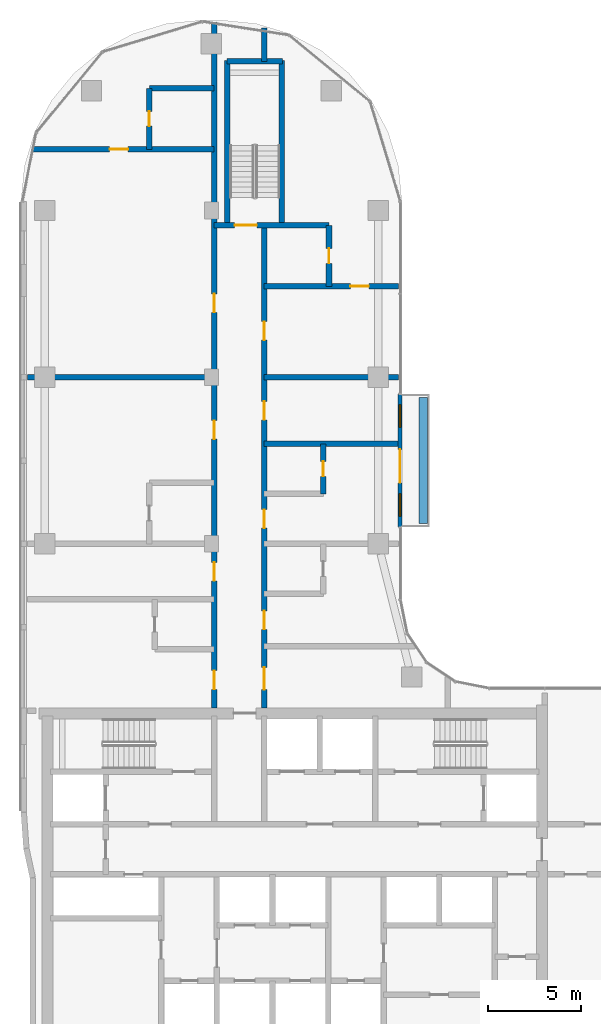
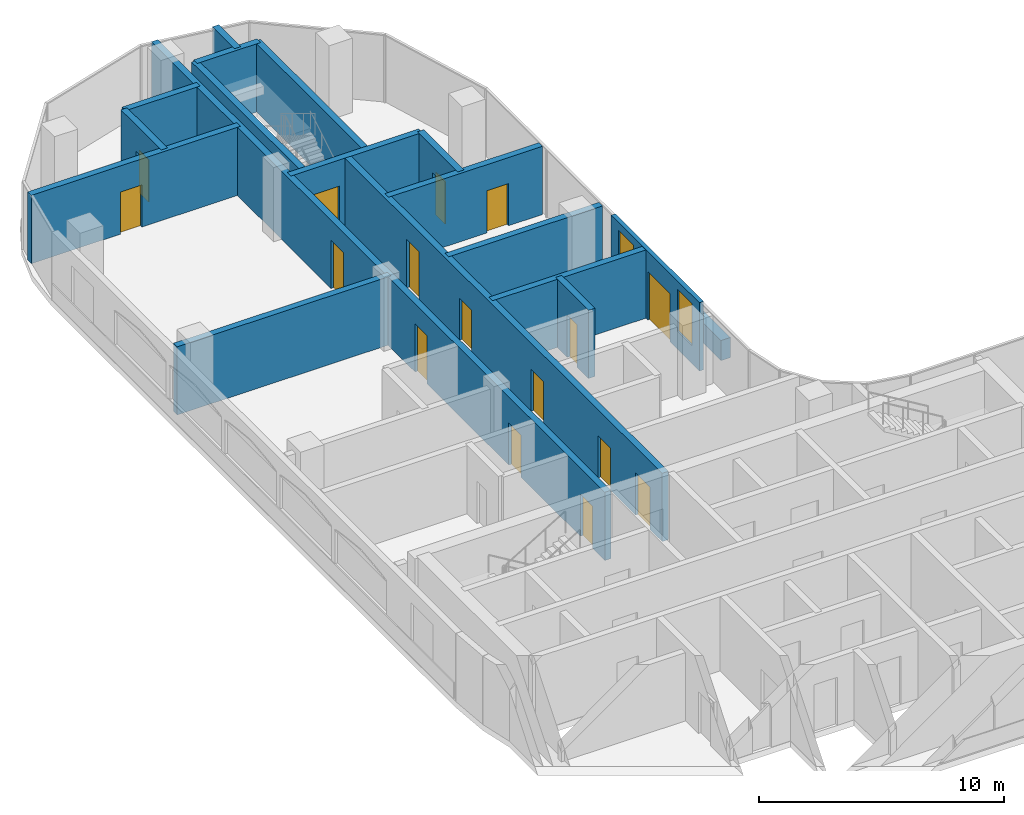
# One storey, part 13 of 23: 18 walls, 16 doors, 2 windows, 18 openings.
"""IFC4 building model written with IfcOpenShell, lengths in metres."""

from ifc_helpers import new_model, si_unit, direction, frame, frame_2d, origin, origin_2d, place, context, subcontext, project, spatial, rectangle, extrude, material, layer, layer_set, type_object, element, fill, save


model = new_model("IFC4")

# Units and contexts
model_context = context("Model", 3, precision=1e-05, world=origin(), true_north=direction((0.0, 1.0)))
body_context = subcontext(model_context, "Body", "Model", "MODEL_VIEW")
ifc_project = project(units=[si_unit("LENGTHUNIT", "METRE"), si_unit("AREAUNIT", "SQUARE_METRE"), si_unit("VOLUMEUNIT", "CUBIC_METRE"), si_unit("PLANEANGLEUNIT", "RADIAN"), si_unit("MASSUNIT", "GRAM", prefix="KILO")], contexts=[model_context])

# Site, building, storey
site_placement = place(None, origin())
site = spatial("IfcSite", under=ifc_project, at=site_placement, CompositionType="ELEMENT")
building_placement = place(site_placement, origin())
building = spatial("IfcBuilding", under=site, at=building_placement, Name="Ogive Portal Towers", CompositionType="ELEMENT")
storey_placement = place(building_placement, frame((0.0, 0.0, 164.39990234375)))
storey = spatial("IfcBuildingStorey", under=building, at=storey_placement, Name="L40", CompositionType="ELEMENT", Elevation=164.39990234375)

# Wall, openings, door, windows
ifc_material_1 = material(Name="Limestone cladding on lightweight block wall", Category="masonry")
ifc_layer_1 = layer(ifc_material_1, 0.199951171875)
ifc_layer_set_1 = layer_set([ifc_layer_1], Name="BALCONY BAY WALL 200")
wall_type_1 = type_object("IfcWallType", Name="BALCONY BAY WALL 200", PredefinedType="SOLIDWALL", material=ifc_layer_set_1)
wall_1_placement = place(storey_placement, frame((50.68505859375, 56.60009765625, 0.0), z_axis=(0.0, 0.0, 1.0), x_axis=(0.0, -1.0, 0.0)))
wall_1 = element("IfcWall", 1, at=wall_1_placement, inside=storey, type_object=wall_type_1, Name="A:L40:f12:bay0", PredefinedType="SOLIDWALL", context=body_context, shape_type="SweptSolid", body=[
    extrude(rectangle(XDim=7.2001953125, YDim=0.199951171875, at=frame_2d((3.60009765625, 0.0))), origin(), (0.0, 0.0, 1.0), 3.400146484375),
])
opening_1_placement = place(wall_1_placement, frame((3.0, 0.0, 0.0)))
opening_1 = element("IfcOpeningElement", 2, at=opening_1_placement, cuts=wall_1, Name="Opening DX042", PredefinedType="OPENING", context=body_context, shape_type="SweptSolid", body=[
    extrude(rectangle(XDim=1.800048828125, YDim=2.39990234375, at=frame_2d((0.89990234375, 1.199951171875))), frame((0.0, 0.10986328125, 0.0), z_axis=(0.0, -1.0, 0.0), x_axis=(1.0, 0.0, 0.0)), (0.0, 0.0, 1.0), 0.219970703125),
])
opening_2_placement = place(wall_1_placement, frame((5.39990234375, 0.0, 0.89990234375)))
opening_2 = element("IfcOpeningElement", 3, at=opening_2_placement, cuts=wall_1, Name="Opening WN2", PredefinedType="OPENING", context=body_context, shape_type="SweptSolid", body=[
    extrude(rectangle(XDim=1.199951171875, YDim=2.10009765625, at=frame_2d((0.60009765625, 1.050048828125))), frame((0.0, 0.10986328125, 0.0), z_axis=(0.0, -1.0, 0.0), x_axis=(1.0, 0.0, 0.0)), (0.0, 0.0, 1.0), 0.219970703125),
])
opening_3_placement = place(wall_1_placement, frame((0.60009765625, 0.0, 0.89990234375)))
opening_3 = element("IfcOpeningElement", 4, at=opening_3_placement, cuts=wall_1, Name="Opening WN2", PredefinedType="OPENING", context=body_context, shape_type="SweptSolid", body=[
    extrude(rectangle(XDim=1.199951171875, YDim=2.10009765625, at=frame_2d((0.60009765625, 1.050048828125))), frame((0.0, 0.10986328125, 0.0), z_axis=(0.0, -1.0, 0.0), x_axis=(1.0, 0.0, 0.0)), (0.0, 0.0, 1.0), 0.219970703125),
])
ifc_material_2 = material(Name="Aluminium 6063 anodised", Category="aluminium")
door_type_1 = type_object("IfcDoorType", Name="BALCONY DOOR 1800x2400", OperationType="DOUBLE_DOOR_SINGLE_SWING", PredefinedType="DOOR", material=ifc_material_2)
door_1_placement = place(opening_1_placement, origin())
door_1 = element("IfcDoor", 5, at=door_1_placement, inside=storey, type_object=door_type_1, Name="A:L40:f12:bay0/o0", OperationType="SINGLE_SWING_LEFT", OverallHeight=2.39990234375, OverallWidth=1.800048828125, PredefinedType="DOOR", context=body_context, shape_type="SweptSolid", body=[
    extrude(rectangle(XDim=1.800048828125, YDim=2.39990234375, at=frame_2d((0.89990234375, 1.199951171875))), frame((0.0, 0.02490234375, 0.0), z_axis=(0.0, -1.0, 0.0), x_axis=(1.0, 0.0, 0.0)), (0.0, 0.0, 1.0), 0.050048828125),
])
fill(opening_1, door_1)
ifc_material_3 = material(Name="Glass, clear low-iron insulated glazing", Category="glass")
window_type = type_object("IfcWindowType", Name="WINDOW BALCONY BAY 1200x2100", PartitioningType="SINGLE_PANEL", PredefinedType="WINDOW", material=ifc_material_3)
window_1_placement = place(opening_2_placement, origin())
window_1 = element("IfcWindow", 6, at=window_1_placement, inside=storey, type_object=window_type, Name="A:L40:f12:bay0/o1", OverallHeight=2.10009765625, OverallWidth=1.199951171875, PartitioningType="SINGLE_PANEL", PredefinedType="WINDOW", context=body_context, shape_type="SweptSolid", body=[
    extrude(rectangle(XDim=1.199951171875, YDim=2.10009765625, at=frame_2d((0.60009765625, 1.050048828125))), frame((0.0, 0.030029296875, 0.0), z_axis=(0.0, -1.0, 0.0), x_axis=(1.0, 0.0, 0.0)), (0.0, 0.0, 1.0), 0.06005859375),
])
fill(opening_2, window_1)
window_2_placement = place(opening_3_placement, origin())
window_2 = element("IfcWindow", 7, at=window_2_placement, inside=storey, type_object=window_type, Name="A:L40:f12:bay0/o2", OverallHeight=2.10009765625, OverallWidth=1.199951171875, PartitioningType="SINGLE_PANEL", PredefinedType="WINDOW", context=body_context, shape_type="SweptSolid", body=[
    extrude(rectangle(XDim=1.199951171875, YDim=2.10009765625, at=frame_2d((0.60009765625, 1.050048828125))), frame((0.0, 0.030029296875, 0.0), z_axis=(0.0, -1.0, 0.0), x_axis=(1.0, 0.0, 0.0)), (0.0, 0.0, 1.0), 0.06005859375),
])
fill(opening_3, window_2)

# Wall
ifc_material_4 = material(Name="Concrete C40/50", Category="concrete")
ifc_layer_2 = layer(ifc_material_4, 0.449951171875)
ifc_layer_set_2 = layer_set([ifc_layer_2], Name="PLANTER WALL 450")
wall_type_2 = type_object("IfcWallType", Name="PLANTER WALL 450", PredefinedType="SOLIDWALL", material=ifc_layer_set_2)
wall_2_placement = place(storey_placement, frame((51.93994140625, 53.0, 0.0), z_axis=(0.0, 0.0, 1.0), x_axis=(1.0, 0.0, 0.0)))
element("IfcWall", 8, at=wall_2_placement, inside=storey, type_object=wall_type_2, Name="Planter S1", PredefinedType="SOLIDWALL", context=body_context, shape_type="SweptSolid", body=[
    extrude(rectangle(XDim=0.449951171875, YDim=6.800048828125, at=origin_2d()), origin(), (0.0, 0.0, 1.0), 1.0),
])

# Wall, opening, door
ifc_material_5 = material(Name="Concrete C50/60", Category="concrete")
ifc_layer_3 = layer(ifc_material_5, 0.300048828125)
ifc_layer_set_3 = layer_set([ifc_layer_3], Name="STAIR WALL 300 C50")
wall_type_3 = type_object("IfcWallType", Name="STAIR WALL 300 C50", PredefinedType="SHEAR", material=ifc_layer_set_3)
wall_3_placement = place(storey_placement, frame((40.64990234375, 65.699951171875, 0.0), z_axis=(0.0, 0.0, 1.0), x_axis=(1.0, 0.0, 0.0)))
wall_3 = element("IfcWall", 9, at=wall_3_placement, inside=storey, type_object=wall_type_3, Name="Stair wall ST-A3 L40", PredefinedType="SHEAR", context=body_context, shape_type="SweptSolid", body=[
    extrude(rectangle(XDim=6.2001953125, YDim=0.300048828125, at=frame_2d((3.10009765625, 0.0))), origin(), (0.0, 0.0, 1.0), 3.400146484375),
])
opening_4_placement = place(wall_3_placement, frame((1.10009765625, 0.0, 0.0)))
opening_4 = element("IfcOpeningElement", 10, at=opening_4_placement, cuts=wall_3, Name="Opening D16-052", PredefinedType="OPENING", context=body_context, shape_type="SweptSolid", body=[
    extrude(rectangle(XDim=1.199951171875, YDim=2.10009765625, at=frame_2d((0.60009765625, 1.050048828125))), frame((0.0, 0.16015625, 0.0), z_axis=(0.0, -1.0, 0.0), x_axis=(1.0, 0.0, 0.0)), (0.0, 0.0, 1.0), 0.320068359375),
])
ifc_material_6 = material(Name="Steel fire door", Category="steel")
door_type_2 = type_object("IfcDoorType", Name="DT-STAIR-1200x2100-FD90S", OperationType="SINGLE_SWING_LEFT", PredefinedType="DOOR", material=ifc_material_6)
door_2_placement = place(opening_4_placement, origin())
door_2 = element("IfcDoor", 11, at=door_2_placement, inside=storey, type_object=door_type_2, Name="Door D16-052", OperationType="SINGLE_SWING_RIGHT", OverallHeight=2.10009765625, OverallWidth=1.199951171875, PredefinedType="DOOR", context=body_context, shape_type="SweptSolid", body=[
    extrude(rectangle(XDim=1.199951171875, YDim=2.10009765625, at=frame_2d((0.60009765625, 1.050048828125))), frame((0.0, 0.02490234375, 0.0), z_axis=(0.0, -1.0, 0.0), x_axis=(1.0, 0.0, 0.0)), (0.0, 0.0, 1.0), 0.050048828125),
])
fill(opening_4, door_2)

# Walls
wall_4_placement = place(storey_placement, frame((41.35009765625, 74.550048828125, 0.0), z_axis=(0.0, 0.0, 1.0), x_axis=(1.0, 0.0, 0.0)))
element("IfcWall", 12, at=wall_4_placement, inside=storey, type_object=wall_type_3, Name="Stair wall ST-A3 L40", PredefinedType="SHEAR", context=body_context, shape_type="SweptSolid", body=[
    extrude(rectangle(XDim=3.0, YDim=0.300048828125, at=frame_2d((1.5, 0.0))), origin(), (0.0, 0.0, 1.0), 3.400146484375),
])
wall_5_placement = place(storey_placement, frame((41.35009765625, 65.75, 0.0), z_axis=(0.0, 0.0, 1.0), x_axis=(0.0, 1.0, 0.0)))
element("IfcWall", 13, at=wall_5_placement, inside=storey, type_object=wall_type_3, Name="Stair wall ST-A3 L40", PredefinedType="SHEAR", context=body_context, shape_type="SweptSolid", body=[
    extrude(rectangle(XDim=8.85009765625, YDim=0.300048828125, at=frame_2d((4.425048828125, 0.0))), origin(), (0.0, 0.0, 1.0), 3.400146484375),
])
wall_6_placement = place(storey_placement, frame((44.300048828125, 65.699951171875, 0.0), z_axis=(0.0, 0.0, 1.0), x_axis=(0.0, 1.0, 0.0)))
element("IfcWall", 14, at=wall_6_placement, inside=storey, type_object=wall_type_3, Name="Stair wall ST-A3 L40", PredefinedType="SHEAR", context=body_context, shape_type="SweptSolid", body=[
    extrude(rectangle(XDim=8.900146484375, YDim=0.300048828125, at=frame_2d((4.4501953125, 0.0))), origin(), (0.0, 0.0, 1.0), 3.400146484375),
])
ifc_material_7 = material(Name="Gypsum board partition on steel studs", Category="steel")
ifc_layer_4 = layer(ifc_material_7, 0.300048828125)
ifc_layer_set_4 = layer_set([ifc_layer_4], Name="WT-PART-300-EI 60")
wall_type_4 = type_object("IfcWallType", Name="WT-PART-300-EI 60", PredefinedType="PARTITIONING", material=ifc_layer_set_4)
wall_7_placement = place(storey_placement, frame((43.35009765625, 53.89990234375, 0.0), z_axis=(0.0, 0.0, 1.0), x_axis=(1.0, 0.0, 0.0)))
element("IfcWall", 15, at=wall_7_placement, inside=storey, type_object=wall_type_4, Name="Wall L40:w017", PredefinedType="PARTITIONING", context=body_context, shape_type="SweptSolid", body=[
    extrude(rectangle(XDim=7.224853515625, YDim=0.300048828125, at=frame_2d((3.6123046875, 0.0))), origin(), (0.0, 0.0, 1.0), 3.400146484375),
])
wall_8_placement = place(storey_placement, frame((30.56494140625, 57.5, 0.0), z_axis=(0.0, 0.0, 1.0), x_axis=(1.0, 0.0, 0.0)))
element("IfcWall", 16, at=wall_8_placement, inside=storey, type_object=wall_type_4, Name="Wall L40:w018", PredefinedType="PARTITIONING", context=body_context, shape_type="SweptSolid", body=[
    extrude(rectangle(XDim=10.0849609375, YDim=0.300048828125, at=frame_2d((5.04248046875, 0.0))), origin(), (0.0, 0.0, 1.0), 3.400146484375),
])
wall_9_placement = place(storey_placement, frame((43.35009765625, 57.5, 0.0), z_axis=(0.0, 0.0, 1.0), x_axis=(1.0, 0.0, 0.0)))
element("IfcWall", 17, at=wall_9_placement, inside=storey, type_object=wall_type_4, Name="Wall L40:w019", PredefinedType="PARTITIONING", context=body_context, shape_type="SweptSolid", body=[
    extrude(rectangle(XDim=7.264892578125, YDim=0.300048828125, at=frame_2d((3.63232421875, 0.0))), origin(), (0.0, 0.0, 1.0), 3.400146484375),
])

# Wall, opening, door
wall_10_placement = place(storey_placement, frame((43.35009765625, 62.39990234375, 0.0), z_axis=(0.0, 0.0, 1.0), x_axis=(1.0, 0.0, 0.0)))
wall_10 = element("IfcWall", 18, at=wall_10_placement, inside=storey, type_object=wall_type_4, Name="Wall L40:w020", PredefinedType="PARTITIONING", context=body_context, shape_type="SweptSolid", body=[
    extrude(rectangle(XDim=7.264892578125, YDim=0.300048828125, at=frame_2d((3.63232421875, 0.0))), origin(), (0.0, 0.0, 1.0), 3.400146484375),
])
opening_5_placement = place(wall_10_placement, frame((4.64990234375, 0.0, 0.0)))
opening_5 = element("IfcOpeningElement", 19, at=opening_5_placement, cuts=wall_10, Name="Opening D16-043", PredefinedType="OPENING", context=body_context, shape_type="SweptSolid", body=[
    extrude(rectangle(XDim=1.0, YDim=2.10009765625, at=frame_2d((0.5, 1.050048828125))), frame((0.0, 0.16015625, 0.0), z_axis=(0.0, -1.0, 0.0), x_axis=(1.0, 0.0, 0.0)), (0.0, 0.0, 1.0), 0.320068359375),
])
door_type_3 = type_object("IfcDoorType", Name="DT-ENTRY-1000x2100-FD60S", OperationType="SINGLE_SWING_LEFT", PredefinedType="DOOR", material=ifc_material_6)
door_3_placement = place(opening_5_placement, origin())
door_3 = element("IfcDoor", 20, at=door_3_placement, inside=storey, type_object=door_type_3, Name="Door D16-043", OperationType="SINGLE_SWING_RIGHT", OverallHeight=2.10009765625, OverallWidth=1.0, PredefinedType="DOOR", context=body_context, shape_type="SweptSolid", body=[
    extrude(rectangle(XDim=1.0, YDim=2.10009765625, at=frame_2d((0.5, 1.050048828125))), frame((0.0, 0.02490234375, 0.0), z_axis=(0.0, -1.0, 0.0), x_axis=(1.0, 0.0, 0.0)), (0.0, 0.0, 1.0), 0.050048828125),
])
fill(opening_5, door_3)

wall_11_placement = place(storey_placement, frame((30.7880859375, 69.800048828125, 0.0), z_axis=(0.0, 0.0, 1.0), x_axis=(1.0, 0.0, 0.0)))
wall_11 = element("IfcWall", 21, at=wall_11_placement, inside=storey, type_object=wall_type_4, Name="Wall L40:w022", PredefinedType="PARTITIONING", context=body_context, shape_type="SweptSolid", body=[
    extrude(rectangle(XDim=9.86181640625, YDim=0.300048828125, at=frame_2d((4.930908203125, 0.0))), origin(), (0.0, 0.0, 1.0), 3.400146484375),
])
opening_6_placement = place(wall_11_placement, frame((4.2119140625, 0.0, 0.0)))
opening_6 = element("IfcOpeningElement", 22, at=opening_6_placement, cuts=wall_11, Name="Opening D16-046", PredefinedType="OPENING", context=body_context, shape_type="SweptSolid", body=[
    extrude(rectangle(XDim=1.0, YDim=2.10009765625, at=frame_2d((0.5, 1.050048828125))), frame((0.0, 0.16015625, 0.0), z_axis=(0.0, -1.0, 0.0), x_axis=(1.0, 0.0, 0.0)), (0.0, 0.0, 1.0), 0.320068359375),
])
door_4_placement = place(opening_6_placement, origin())
door_4 = element("IfcDoor", 23, at=door_4_placement, inside=storey, type_object=door_type_3, Name="Door D16-046", OperationType="SINGLE_SWING_RIGHT", OverallHeight=2.10009765625, OverallWidth=1.0, PredefinedType="DOOR", context=body_context, shape_type="SweptSolid", body=[
    extrude(rectangle(XDim=1.0, YDim=2.10009765625, at=frame_2d((0.5, 1.050048828125))), frame((0.0, 0.02490234375, 0.0), z_axis=(0.0, -1.0, 0.0), x_axis=(1.0, 0.0, 0.0)), (0.0, 0.0, 1.0), 0.050048828125),
])
fill(opening_6, door_4)

# Wall
wall_12_placement = place(storey_placement, frame((37.14990234375, 73.10009765625, 0.0), z_axis=(0.0, 0.0, 1.0), x_axis=(1.0, 0.0, 0.0)))
element("IfcWall", 24, at=wall_12_placement, inside=storey, type_object=wall_type_4, Name="Wall L40:w023", PredefinedType="PARTITIONING", context=body_context, shape_type="SweptSolid", body=[
    extrude(rectangle(XDim=3.5, YDim=0.300048828125, at=frame_2d((1.75, 0.0))), origin(), (0.0, 0.0, 1.0), 3.400146484375),
])

# Wall, opening, door
wall_13_placement = place(storey_placement, frame((37.14990234375, 69.800048828125, 0.0), z_axis=(0.0, 0.0, 1.0), x_axis=(0.0, 1.0, 0.0)))
wall_13 = element("IfcWall", 25, at=wall_13_placement, inside=storey, type_object=wall_type_4, Name="Wall L40:w026", PredefinedType="PARTITIONING", context=body_context, shape_type="SweptSolid", body=[
    extrude(rectangle(XDim=3.300048828125, YDim=0.300048828125, at=frame_2d((1.64990234375, 0.0))), origin(), (0.0, 0.0, 1.0), 3.400146484375),
])
opening_7_placement = place(wall_13_placement, frame((1.25, 0.0, 0.0)))
opening_7 = element("IfcOpeningElement", 26, at=opening_7_placement, cuts=wall_13, Name="Opening D16-047", PredefinedType="OPENING", context=body_context, shape_type="SweptSolid", body=[
    extrude(rectangle(XDim=0.800048828125, YDim=2.10009765625, at=frame_2d((0.39990234375, 1.050048828125))), frame((0.0, 0.16015625, 0.0), z_axis=(0.0, -1.0, 0.0), x_axis=(1.0, 0.0, 0.0)), (0.0, 0.0, 1.0), 0.320068359375),
])
door_type_4 = type_object("IfcDoorType", Name="DT-BATH-800x2100-FD60S", OperationType="SINGLE_SWING_LEFT", PredefinedType="DOOR", material=ifc_material_6)
door_5_placement = place(opening_7_placement, origin())
door_5 = element("IfcDoor", 27, at=door_5_placement, inside=storey, type_object=door_type_4, Name="Door D16-047", OperationType="SINGLE_SWING_LEFT", OverallHeight=2.10009765625, OverallWidth=0.800048828125, PredefinedType="DOOR", context=body_context, shape_type="SweptSolid", body=[
    extrude(rectangle(XDim=0.800048828125, YDim=2.10009765625, at=frame_2d((0.39990234375, 1.050048828125))), frame((0.0, 0.02490234375, 0.0), z_axis=(0.0, -1.0, 0.0), x_axis=(1.0, 0.0, 0.0)), (0.0, 0.0, 1.0), 0.050048828125),
])
fill(opening_7, door_5)

# Wall, openings, doors
wall_14_placement = place(storey_placement, frame((40.64990234375, 39.64990234375, 0.0), z_axis=(0.0, 0.0, 1.0), x_axis=(0.0, 1.0, 0.0)))
wall_14 = element("IfcWall", 28, at=wall_14_placement, inside=storey, type_object=wall_type_4, Name="Wall L40:w028", PredefinedType="PARTITIONING", context=body_context, shape_type="SweptSolid", body=[
    extrude(rectangle(XDim=37.025146484375, YDim=0.300048828125, at=frame_2d((18.5126953125, 0.0))), origin(), (0.0, 0.0, 1.0), 3.400146484375),
])
opening_8_placement = place(wall_14_placement, frame((1.0, 0.0, 0.0)))
opening_8 = element("IfcOpeningElement", 29, at=opening_8_placement, cuts=wall_14, Name="Opening D16-035", PredefinedType="OPENING", context=body_context, shape_type="SweptSolid", body=[
    extrude(rectangle(XDim=1.0, YDim=2.10009765625, at=frame_2d((0.5, 1.050048828125))), frame((0.0, 0.16015625, 0.0), z_axis=(0.0, -1.0, 0.0), x_axis=(1.0, 0.0, 0.0)), (0.0, 0.0, 1.0), 0.320068359375),
])
opening_9_placement = place(wall_14_placement, frame((6.85009765625, 0.0, 0.0)))
opening_9 = element("IfcOpeningElement", 30, at=opening_9_placement, cuts=wall_14, Name="Opening D16-036", PredefinedType="OPENING", context=body_context, shape_type="SweptSolid", body=[
    extrude(rectangle(XDim=1.0, YDim=2.10009765625, at=frame_2d((0.5, 1.050048828125))), frame((0.0, 0.16015625, 0.0), z_axis=(0.0, -1.0, 0.0), x_axis=(1.0, 0.0, 0.0)), (0.0, 0.0, 1.0), 0.320068359375),
])
opening_10_placement = place(wall_14_placement, frame((14.5, 0.0, 0.0)))
opening_10 = element("IfcOpeningElement", 31, at=opening_10_placement, cuts=wall_14, Name="Opening D16-041", PredefinedType="OPENING", context=body_context, shape_type="SweptSolid", body=[
    extrude(rectangle(XDim=1.0, YDim=2.39990234375, at=frame_2d((0.5, 1.199951171875))), frame((0.0, 0.16015625, 0.0), z_axis=(0.0, -1.0, 0.0), x_axis=(1.0, 0.0, 0.0)), (0.0, 0.0, 1.0), 0.320068359375),
])
opening_11_placement = place(wall_14_placement, frame((21.35009765625, 0.0, 0.0)))
opening_11 = element("IfcOpeningElement", 32, at=opening_11_placement, cuts=wall_14, Name="Opening D16-045", PredefinedType="OPENING", context=body_context, shape_type="SweptSolid", body=[
    extrude(rectangle(XDim=1.0, YDim=2.39990234375, at=frame_2d((0.5, 1.199951171875))), frame((0.0, 0.16015625, 0.0), z_axis=(0.0, -1.0, 0.0), x_axis=(1.0, 0.0, 0.0)), (0.0, 0.0, 1.0), 0.320068359375),
])
door_6_placement = place(opening_8_placement, origin())
door_6 = element("IfcDoor", 33, at=door_6_placement, inside=storey, type_object=door_type_3, Name="Door D16-035", OperationType="SINGLE_SWING_RIGHT", OverallHeight=2.10009765625, OverallWidth=1.0, PredefinedType="DOOR", context=body_context, shape_type="SweptSolid", body=[
    extrude(rectangle(XDim=1.0, YDim=2.10009765625, at=frame_2d((0.5, 1.050048828125))), frame((0.0, 0.02490234375, 0.0), z_axis=(0.0, -1.0, 0.0), x_axis=(1.0, 0.0, 0.0)), (0.0, 0.0, 1.0), 0.050048828125),
])
fill(opening_8, door_6)
door_7_placement = place(opening_9_placement, origin())
door_7 = element("IfcDoor", 34, at=door_7_placement, inside=storey, type_object=door_type_3, Name="Door D16-036", OperationType="SINGLE_SWING_LEFT", OverallHeight=2.10009765625, OverallWidth=1.0, PredefinedType="DOOR", context=body_context, shape_type="SweptSolid", body=[
    extrude(rectangle(XDim=1.0, YDim=2.10009765625, at=frame_2d((0.5, 1.050048828125))), frame((0.0, 0.02490234375, 0.0), z_axis=(0.0, -1.0, 0.0), x_axis=(1.0, 0.0, 0.0)), (0.0, 0.0, 1.0), 0.050048828125),
])
fill(opening_9, door_7)
door_type_5 = type_object("IfcDoorType", Name="DT-ENTRY-1000x2400-FD60S", OperationType="SINGLE_SWING_LEFT", PredefinedType="DOOR", material=ifc_material_6)
door_8_placement = place(opening_10_placement, origin())
door_8 = element("IfcDoor", 35, at=door_8_placement, inside=storey, type_object=door_type_5, Name="Door D16-041", OperationType="SINGLE_SWING_RIGHT", OverallHeight=2.39990234375, OverallWidth=1.0, PredefinedType="DOOR", context=body_context, shape_type="SweptSolid", body=[
    extrude(rectangle(XDim=1.0, YDim=2.39990234375, at=frame_2d((0.5, 1.199951171875))), frame((0.0, 0.02490234375, 0.0), z_axis=(0.0, -1.0, 0.0), x_axis=(1.0, 0.0, 0.0)), (0.0, 0.0, 1.0), 0.050048828125),
])
fill(opening_10, door_8)
door_9_placement = place(opening_11_placement, origin())
door_9 = element("IfcDoor", 36, at=door_9_placement, inside=storey, type_object=door_type_5, Name="Door D16-045", OperationType="SINGLE_SWING_LEFT", OverallHeight=2.39990234375, OverallWidth=1.0, PredefinedType="DOOR", context=body_context, shape_type="SweptSolid", body=[
    extrude(rectangle(XDim=1.0, YDim=2.39990234375, at=frame_2d((0.5, 1.199951171875))), frame((0.0, 0.02490234375, 0.0), z_axis=(0.0, -1.0, 0.0), x_axis=(1.0, 0.0, 0.0)), (0.0, 0.0, 1.0), 0.050048828125),
])
fill(opening_11, door_9)

# Wall, opening, door
wall_15_placement = place(storey_placement, frame((46.550048828125, 51.199951171875, 0.0), z_axis=(0.0, 0.0, 1.0), x_axis=(0.0, 1.0, 0.0)))
wall_15 = element("IfcWall", 37, at=wall_15_placement, inside=storey, type_object=wall_type_4, Name="Wall L40:w034", PredefinedType="PARTITIONING", context=body_context, shape_type="SweptSolid", body=[
    extrude(rectangle(XDim=2.699951171875, YDim=0.300048828125, at=frame_2d((1.35009765625, 0.0))), origin(), (0.0, 0.0, 1.0), 3.400146484375),
])
opening_12_placement = place(wall_15_placement, frame((0.949951171875, 0.0, 0.0)))
opening_12 = element("IfcOpeningElement", 38, at=opening_12_placement, cuts=wall_15, Name="Opening D16-037", PredefinedType="OPENING", context=body_context, shape_type="SweptSolid", body=[
    extrude(rectangle(XDim=0.800048828125, YDim=2.10009765625, at=frame_2d((0.39990234375, 1.050048828125))), frame((0.0, 0.16015625, 0.0), z_axis=(0.0, -1.0, 0.0), x_axis=(1.0, 0.0, 0.0)), (0.0, 0.0, 1.0), 0.320068359375),
])
door_10_placement = place(opening_12_placement, origin())
door_10 = element("IfcDoor", 39, at=door_10_placement, inside=storey, type_object=door_type_4, Name="Door D16-037", OperationType="SINGLE_SWING_LEFT", OverallHeight=2.10009765625, OverallWidth=0.800048828125, PredefinedType="DOOR", context=body_context, shape_type="SweptSolid", body=[
    extrude(rectangle(XDim=0.800048828125, YDim=2.10009765625, at=frame_2d((0.39990234375, 1.050048828125))), frame((0.0, 0.02490234375, 0.0), z_axis=(0.0, -1.0, 0.0), x_axis=(1.0, 0.0, 0.0)), (0.0, 0.0, 1.0), 0.050048828125),
])
fill(opening_12, door_10)

wall_16_placement = place(storey_placement, frame((46.85009765625, 62.39990234375, 0.0), z_axis=(0.0, 0.0, 1.0), x_axis=(0.0, 1.0, 0.0)))
wall_16 = element("IfcWall", 40, at=wall_16_placement, inside=storey, type_object=wall_type_4, Name="Wall L40:w035", PredefinedType="PARTITIONING", context=body_context, shape_type="SweptSolid", body=[
    extrude(rectangle(XDim=3.300048828125, YDim=0.300048828125, at=frame_2d((1.64990234375, 0.0))), origin(), (0.0, 0.0, 1.0), 3.400146484375),
])
opening_13_placement = place(wall_16_placement, frame((1.25, 0.0, 0.0)))
opening_13 = element("IfcOpeningElement", 41, at=opening_13_placement, cuts=wall_16, Name="Opening D16-044", PredefinedType="OPENING", context=body_context, shape_type="SweptSolid", body=[
    extrude(rectangle(XDim=0.800048828125, YDim=2.10009765625, at=frame_2d((0.39990234375, 1.050048828125))), frame((0.0, 0.16015625, 0.0), z_axis=(0.0, -1.0, 0.0), x_axis=(1.0, 0.0, 0.0)), (0.0, 0.0, 1.0), 0.320068359375),
])
door_11_placement = place(opening_13_placement, origin())
door_11 = element("IfcDoor", 42, at=door_11_placement, inside=storey, type_object=door_type_4, Name="Door D16-044", OperationType="SINGLE_SWING_LEFT", OverallHeight=2.10009765625, OverallWidth=0.800048828125, PredefinedType="DOOR", context=body_context, shape_type="SweptSolid", body=[
    extrude(rectangle(XDim=0.800048828125, YDim=2.10009765625, at=frame_2d((0.39990234375, 1.050048828125))), frame((0.0, 0.02490234375, 0.0), z_axis=(0.0, -1.0, 0.0), x_axis=(1.0, 0.0, 0.0)), (0.0, 0.0, 1.0), 0.050048828125),
])
fill(opening_13, door_11)

# Wall, openings, doors
ifc_layer_5 = layer(ifc_material_4, 0.300048828125)
ifc_layer_set_5 = layer_set([ifc_layer_5], Name="WT-SHAFT-300")
wall_type_5 = type_object("IfcWallType", Name="WT-SHAFT-300", PredefinedType="SOLIDWALL", material=ifc_layer_set_5)
wall_17_placement = place(storey_placement, frame((43.35009765625, 39.64990234375, 0.0), z_axis=(0.0, 0.0, 1.0), x_axis=(0.0, 1.0, 0.0)))
wall_17 = element("IfcWall", 43, at=wall_17_placement, inside=storey, type_object=wall_type_5, Name="Wall L40:w030", PredefinedType="SOLIDWALL", context=body_context, shape_type="SweptSolid", body=[
    extrude(rectangle(XDim=26.10009765625, YDim=0.300048828125, at=frame_2d((13.050048828125, 0.0))), origin(), (0.0, 0.0, 1.0), 3.400146484375),
])
opening_14_placement = place(wall_17_placement, frame((0.985107421875, 0.0, 0.0)))
opening_14 = element("IfcOpeningElement", 44, at=opening_14_placement, cuts=wall_17, Name="Opening D16-031", PredefinedType="OPENING", context=body_context, shape_type="SweptSolid", body=[
    extrude(rectangle(XDim=1.199951171875, YDim=2.10009765625, at=frame_2d((0.60009765625, 1.050048828125))), frame((0.0, 0.16015625, 0.0), z_axis=(0.0, -1.0, 0.0), x_axis=(1.0, 0.0, 0.0)), (0.0, 0.0, 1.0), 0.320068359375),
])
opening_15_placement = place(wall_17_placement, frame((4.235107421875, 0.0, 0.0)))
opening_15 = element("IfcOpeningElement", 45, at=opening_15_placement, cuts=wall_17, Name="Opening D16-033", PredefinedType="OPENING", context=body_context, shape_type="SweptSolid", body=[
    extrude(rectangle(XDim=1.0, YDim=2.10009765625, at=frame_2d((0.5, 1.050048828125))), frame((0.0, 0.16015625, 0.0), z_axis=(0.0, -1.0, 0.0), x_axis=(1.0, 0.0, 0.0)), (0.0, 0.0, 1.0), 0.320068359375),
])
opening_16_placement = place(wall_17_placement, frame((9.699951171875, 0.0, 0.0)))
opening_16 = element("IfcOpeningElement", 46, at=opening_16_placement, cuts=wall_17, Name="Opening D16-038", PredefinedType="OPENING", context=body_context, shape_type="SweptSolid", body=[
    extrude(rectangle(XDim=1.0, YDim=2.10009765625, at=frame_2d((0.5, 1.050048828125))), frame((0.0, 0.16015625, 0.0), z_axis=(0.0, -1.0, 0.0), x_axis=(1.0, 0.0, 0.0)), (0.0, 0.0, 1.0), 0.320068359375),
])
opening_17_placement = place(wall_17_placement, frame((15.550048828125, 0.0, 0.0)))
opening_17 = element("IfcOpeningElement", 47, at=opening_17_placement, cuts=wall_17, Name="Opening D16-039", PredefinedType="OPENING", context=body_context, shape_type="SweptSolid", body=[
    extrude(rectangle(XDim=1.0, YDim=2.10009765625, at=frame_2d((0.5, 1.050048828125))), frame((0.0, 0.16015625, 0.0), z_axis=(0.0, -1.0, 0.0), x_axis=(1.0, 0.0, 0.0)), (0.0, 0.0, 1.0), 0.320068359375),
])
opening_18_placement = place(wall_17_placement, frame((19.85009765625, 0.0, 0.0)))
opening_18 = element("IfcOpeningElement", 48, at=opening_18_placement, cuts=wall_17, Name="Opening D16-042", PredefinedType="OPENING", context=body_context, shape_type="SweptSolid", body=[
    extrude(rectangle(XDim=1.0, YDim=2.39990234375, at=frame_2d((0.5, 1.199951171875))), frame((0.0, 0.16015625, 0.0), z_axis=(0.0, -1.0, 0.0), x_axis=(1.0, 0.0, 0.0)), (0.0, 0.0, 1.0), 0.320068359375),
])
door_type_6 = type_object("IfcDoorType", Name="DT-ENTRY-1000x2100-FD90S", OperationType="SINGLE_SWING_LEFT", PredefinedType="DOOR", material=ifc_material_6)
door_12_placement = place(opening_15_placement, origin())
door_12 = element("IfcDoor", 49, at=door_12_placement, inside=storey, type_object=door_type_6, Name="Door D16-033", OperationType="SINGLE_SWING_LEFT", OverallHeight=2.10009765625, OverallWidth=1.0, PredefinedType="DOOR", context=body_context, shape_type="SweptSolid", body=[
    extrude(rectangle(XDim=1.0, YDim=2.10009765625, at=frame_2d((0.5, 1.050048828125))), frame((0.0, 0.02490234375, 0.0), z_axis=(0.0, -1.0, 0.0), x_axis=(1.0, 0.0, 0.0)), (0.0, 0.0, 1.0), 0.050048828125),
])
fill(opening_15, door_12)
door_13_placement = place(opening_16_placement, origin())
door_13 = element("IfcDoor", 50, at=door_13_placement, inside=storey, type_object=door_type_6, Name="Door D16-038", OperationType="SINGLE_SWING_RIGHT", OverallHeight=2.10009765625, OverallWidth=1.0, PredefinedType="DOOR", context=body_context, shape_type="SweptSolid", body=[
    extrude(rectangle(XDim=1.0, YDim=2.10009765625, at=frame_2d((0.5, 1.050048828125))), frame((0.0, 0.02490234375, 0.0), z_axis=(0.0, -1.0, 0.0), x_axis=(1.0, 0.0, 0.0)), (0.0, 0.0, 1.0), 0.050048828125),
])
fill(opening_16, door_13)
door_14_placement = place(opening_17_placement, origin())
door_14 = element("IfcDoor", 51, at=door_14_placement, inside=storey, type_object=door_type_6, Name="Door D16-039", OperationType="SINGLE_SWING_LEFT", OverallHeight=2.10009765625, OverallWidth=1.0, PredefinedType="DOOR", context=body_context, shape_type="SweptSolid", body=[
    extrude(rectangle(XDim=1.0, YDim=2.10009765625, at=frame_2d((0.5, 1.050048828125))), frame((0.0, 0.02490234375, 0.0), z_axis=(0.0, -1.0, 0.0), x_axis=(1.0, 0.0, 0.0)), (0.0, 0.0, 1.0), 0.050048828125),
])
fill(opening_17, door_14)
door_type_7 = type_object("IfcDoorType", Name="DT-ENTRY-1000x2400-FD90S", OperationType="SINGLE_SWING_LEFT", PredefinedType="DOOR", material=ifc_material_6)
door_15_placement = place(opening_18_placement, origin())
door_15 = element("IfcDoor", 52, at=door_15_placement, inside=storey, type_object=door_type_7, Name="Door D16-042", OperationType="SINGLE_SWING_LEFT", OverallHeight=2.39990234375, OverallWidth=1.0, PredefinedType="DOOR", context=body_context, shape_type="SweptSolid", body=[
    extrude(rectangle(XDim=1.0, YDim=2.39990234375, at=frame_2d((0.5, 1.199951171875))), frame((0.0, 0.02490234375, 0.0), z_axis=(0.0, -1.0, 0.0), x_axis=(1.0, 0.0, 0.0)), (0.0, 0.0, 1.0), 0.050048828125),
])
fill(opening_18, door_15)
door_type_8 = type_object("IfcDoorType", Name="DT-ENTRY-1200x2100-FD90S", OperationType="SINGLE_SWING_LEFT", PredefinedType="DOOR", material=ifc_material_6)
door_16_placement = place(opening_14_placement, origin())
door_16 = element("IfcDoor", 53, at=door_16_placement, inside=storey, type_object=door_type_8, Name="Door D16-031", OperationType="SINGLE_SWING_RIGHT", OverallHeight=2.10009765625, OverallWidth=1.199951171875, PredefinedType="DOOR", context=body_context, shape_type="SweptSolid", body=[
    extrude(rectangle(XDim=1.199951171875, YDim=2.10009765625, at=frame_2d((0.60009765625, 1.050048828125))), frame((0.0, 0.02490234375, 0.0), z_axis=(0.0, -1.0, 0.0), x_axis=(1.0, 0.0, 0.0)), (0.0, 0.0, 1.0), 0.050048828125),
])
fill(opening_14, door_16)

# Wall
wall_18_placement = place(storey_placement, frame((43.35009765625, 74.550048828125, 0.0), z_axis=(0.0, 0.0, 1.0), x_axis=(0.0, 1.0, 0.0)))
element("IfcWall", 54, at=wall_18_placement, inside=storey, type_object=wall_type_5, Name="Wall L40:w031", PredefinedType="SOLIDWALL", context=body_context, shape_type="SweptSolid", body=[
    extrude(rectangle(XDim=1.799072265625, YDim=0.300048828125, at=frame_2d((0.8994140625, 0.0))), origin(), (0.0, 0.0, 1.0), 3.400146484375),
])

save(model, "model.ifc")
